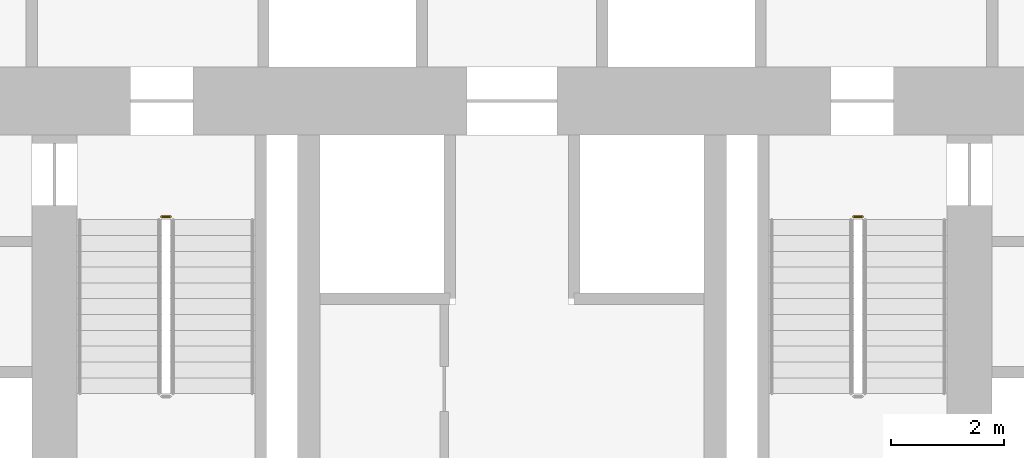
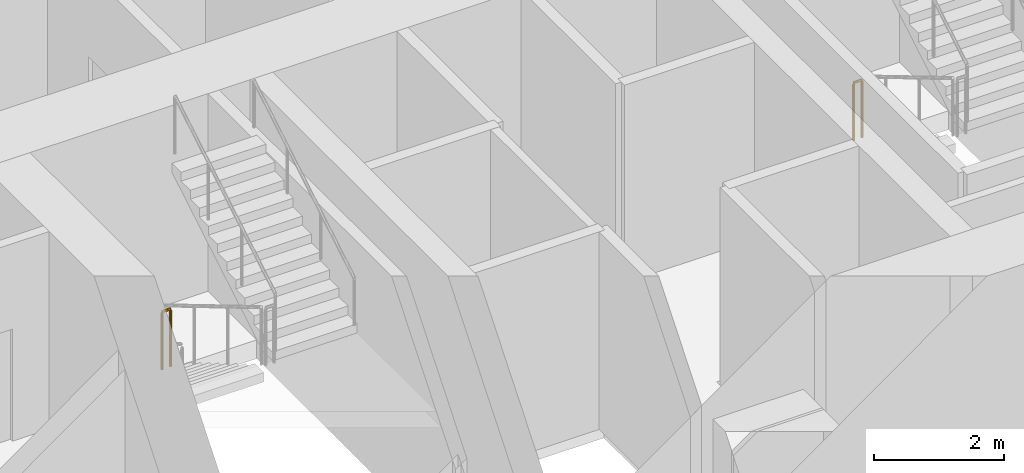
# One storey, part 23 of 24: 2 railings.
"""IFC4 building model written with IfcOpenShell, lengths in metres."""

from ifc_helpers import new_model, si_unit, direction, frame, origin, origin_2d, place, context, subcontext, project, spatial, circle, extrude, material, type_object, element, save


model = new_model("IFC4")

# Units and contexts
model_context = context("Model", 3, precision=1e-05, world=origin(), true_north=direction((0.0, 1.0)))
body_context = subcontext(model_context, "Body", "Model", "MODEL_VIEW")
ifc_project = project(units=[si_unit("LENGTHUNIT", "METRE"), si_unit("AREAUNIT", "SQUARE_METRE"), si_unit("VOLUMEUNIT", "CUBIC_METRE"), si_unit("PLANEANGLEUNIT", "RADIAN"), si_unit("MASSUNIT", "GRAM", prefix="KILO")], contexts=[model_context])

# Site, building, storey
site_placement = place(None, origin())
site = spatial("IfcSite", under=ifc_project, at=site_placement, CompositionType="ELEMENT")
building_placement = place(site_placement, origin())
building = spatial("IfcBuilding", under=site, at=building_placement, Name="Ostrander Bayou Hotel Tower", CompositionType="ELEMENT")
storey_placement = place(building_placement, frame((0.0, 0.0, 6.0)))
storey = spatial("IfcBuildingStorey", under=building, at=storey_placement, Name="L01", CompositionType="ELEMENT", Elevation=6.0)

# Railings
ifc_material = material(Name="Steel ASTM A500 Gr C", Category="steel")
railing_type = type_object("IfcRailingType", Name="GR1 stair guard 1100 mm steel", PredefinedType="GUARDRAIL", material=ifc_material)
for number, where, name in (
    (1, (-6.199951171875, 7.050048828125, 0.0), "L01 STA stair guard 4"),
    (2, (6.050048828125, 7.050048828125, 0.0), "L01 STB stair guard 4"),
):
    element("IfcRailing", number, at=place(storey_placement, frame(where)), inside=storey, type_object=railing_type, Name=name, PredefinedType="GUARDRAIL", context=body_context, shape_type="SweptSolid", body=[
        extrude(circle(Radius=0.02392578125, at=origin_2d()), frame((0.0, 0.0, 1.076171875), z_axis=(1.0, 0.0, 0.0), x_axis=(0.0, 1.0, 0.0)), (0.0, 0.0, 1.0), 0.14990234375),
        extrude(circle(Radius=0.02099609375, at=origin_2d()), origin(), (0.0, 0.0, 1.0), 1.052001953125),
        extrude(circle(Radius=0.02099609375, at=origin_2d()), frame((0.14990234375, 0.0, 0.0)), (0.0, 0.0, 1.0), 1.052001953125),
    ])

save(model, "model.ifc")
